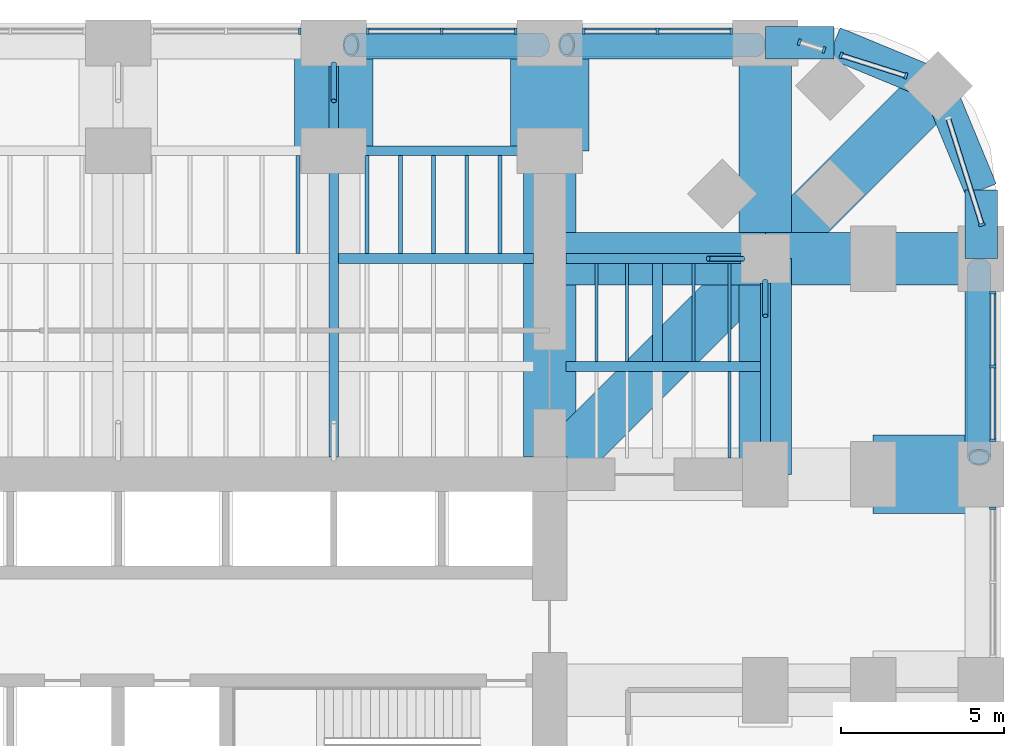
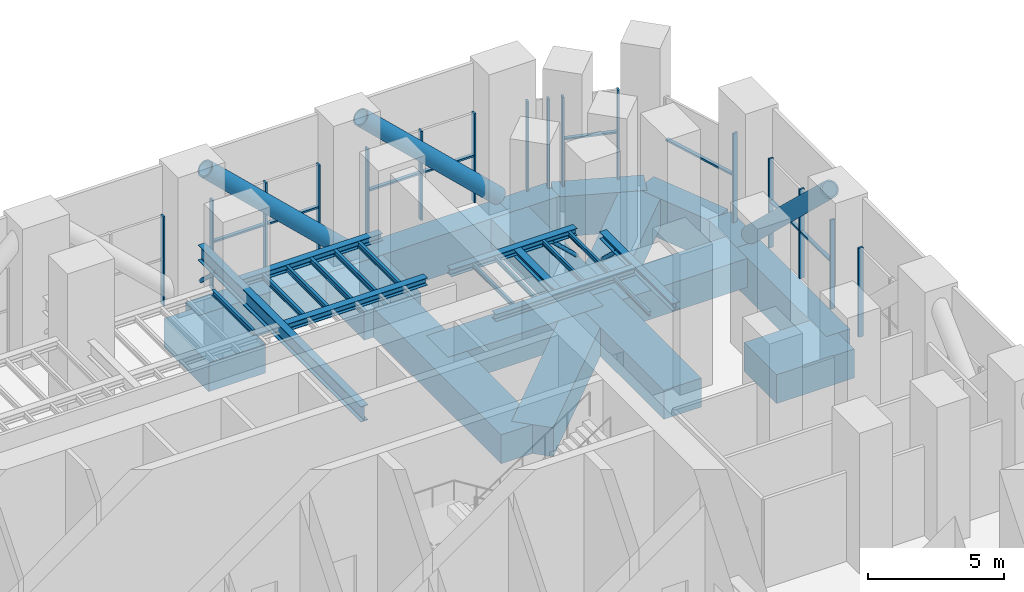
# One storey, part 9 of 17: 35 beams, 30 members, 8 elements without a shape of their own.
"""IFC4 building model written with IfcOpenShell, lengths in metres."""

import ifcopenshell
import ifcopenshell.guid

model = None  # the IFC model being written
_history = None  # IfcOwnerHistory: only IFC2X3 demands one
_inside = {}  # id of a spatial element -> (the spatial element, [elements in it])
_under = {}  # id of a project, library or spatial element -> (it, [spatial elements below it])
_declared = {}  # id of a project -> (the project, [libraries it declares])
_typed = {}  # id of a type object -> (the type object, [elements of that type])
_made_of = {}  # id of a material, layer set ... -> (it, [elements and type objects made of it])


def new_model(schema):
    """Start an empty IFC model of exactly this schema.

    Asked for "IFC4X3", IfcOpenShell would pick the latest addendum, in which some entities
    have other attributes; the version numbers below select the first issue.
    IFC2X3 requires an IfcOwnerHistory on every rooted entity: one is made here for all.
    """
    global model, _history
    if schema == "IFC4X3":
        model = ifcopenshell.file(schema_version=(4, 3, 0, 0))
    else:
        model = ifcopenshell.file(schema=schema)
    _inside.clear()
    _under.clear()
    _declared.clear()
    _typed.clear()
    _made_of.clear()
    _history = None
    if model.schema == "IFC2X3":
        org = make("IfcOrganization", Name="unknown")
        user = make(
            "IfcPersonAndOrganization",
            ThePerson=make("IfcPerson", FamilyName="unknown"),
            TheOrganization=org,
        )
        app = make(
            "IfcApplication",
            ApplicationDeveloper=org,
            Version="unknown",
            ApplicationFullName="unknown",
            ApplicationIdentifier="unknown",
        )
        _history = make(
            "IfcOwnerHistory",
            OwningUser=user,
            OwningApplication=app,
            ChangeAction="ADDED",
            CreationDate=0,
        )
    return model


def make(cls, **values):
    """One entity of the class cls with the attributes given. An attribute that is None is left unset."""
    return model.create_entity(
        cls, **{name: value for name, value in values.items() if value is not None}
    )


def rooted(cls, **values):
    """An entity with a GlobalId (a new one), such as an element, a storey or a relation."""
    return make(cls, GlobalId=ifcopenshell.guid.new(), OwnerHistory=_history, **values)


def si_unit(unit_type, name, prefix=None):
    """IfcSIUnit, for example si_unit("LENGTHUNIT", "METRE", prefix="MILLI")."""
    return make("IfcSIUnit", UnitType=unit_type, Prefix=prefix, Name=name)


def assignment(units):
    """IfcUnitAssignment: the units of a project."""
    return None if units is None else make("IfcUnitAssignment", Units=units)


def point(xyz):
    """IfcCartesianPoint."""
    return None if xyz is None else make("IfcCartesianPoint", Coordinates=xyz)


def direction(xyz):
    """IfcDirection."""
    return None if xyz is None else make("IfcDirection", DirectionRatios=xyz)


def frame(location, z_axis=None, x_axis=None):
    """IfcAxis2Placement3D, a coordinate frame: its origin and axes. An axis left out is left unset."""
    return make(
        "IfcAxis2Placement3D",
        Location=point(location),
        Axis=direction(z_axis),
        RefDirection=direction(x_axis),
    )


def frame_2d(location, x_axis=None):
    """IfcAxis2Placement2D, a coordinate frame in the plane: its origin and x axis."""
    return make(
        "IfcAxis2Placement2D", Location=point(location), RefDirection=direction(x_axis)
    )


def origin():
    """The frame at (0, 0, 0) with its axes left unset."""
    return frame((0.0, 0.0, 0.0))


def origin_2d():
    """The frame at (0, 0) in the plane with its x axis left unset."""
    return frame_2d((0.0, 0.0))


def place(relative_to, where):
    """IfcLocalPlacement: puts the frame where relative to a parent placement (None: the world)."""
    return make(
        "IfcLocalPlacement", PlacementRelTo=relative_to, RelativePlacement=where
    )


def context(
    kind, dimensions, precision=None, world=None, true_north=None, identifier=None
):
    """IfcGeometricRepresentationContext, for example the 3D "Model" context."""
    return make(
        "IfcGeometricRepresentationContext",
        ContextIdentifier=identifier,
        ContextType=kind,
        CoordinateSpaceDimension=dimensions,
        Precision=precision,
        WorldCoordinateSystem=world,
        TrueNorth=true_north,
    )


def subcontext(parent, identifier, kind, view, scale=None):
    """IfcGeometricRepresentationSubContext, for example "Body" below "Model"."""
    return make(
        "IfcGeometricRepresentationSubContext",
        ContextIdentifier=identifier,
        ContextType=kind,
        ParentContext=parent,
        TargetScale=scale,
        TargetView=view,
    )


def project(units=None, contexts=None):
    """IfcProject with its units and contexts."""
    return rooted(
        "IfcProject",
        Name="project",
        RepresentationContexts=contexts,
        UnitsInContext=assignment(units),
    )


def spatial(cls, under=None, at=None, **own):
    """A site, building, storey or space (cls), placed at a placement, below another one or the project."""
    s = rooted(cls, ObjectPlacement=at, **own)
    if under is not None:
        _under.setdefault(under.id(), (under, []))[1].append(s)
    return s


def profile(cls, at=None, kind="AREA", **sizes):
    """A parametric profile (cls). Its sizes go by their IFC names, for example OverallWidth=200.0."""
    return make(cls, ProfileType=kind, Position=at, **sizes)


def rectangle(**sizes):
    """IfcRectangleProfileDef."""
    return profile("IfcRectangleProfileDef", **sizes)


def hollow_circle(**sizes):
    """IfcCircleHollowProfileDef."""
    return profile("IfcCircleHollowProfileDef", **sizes)


def i_section(**sizes):
    """IfcIShapeProfileDef."""
    return profile("IfcIShapeProfileDef", **sizes)


def extrude(swept, where, along, depth):
    """IfcExtrudedAreaSolid: the profile swept, set in the frame where, extruded along a direction by depth."""
    return make(
        "IfcExtrudedAreaSolid",
        SweptArea=swept,
        Position=where,
        ExtrudedDirection=direction(along),
        Depth=depth,
    )


def shape(context_of_items, identifier, shape_type, items):
    """IfcShapeRepresentation: the items that make up one representation, for example the "Body"."""
    return make(
        "IfcShapeRepresentation",
        ContextOfItems=context_of_items,
        RepresentationIdentifier=identifier,
        RepresentationType=shape_type,
        Items=items,
    )


def material(Name=None, Category=None):
    """IfcMaterial."""
    return make("IfcMaterial", Name=Name, Category=Category)


def material_profile(
    of_material, cross_section, Name=None, Category=None, Priority=None
):
    """IfcMaterialProfile: a cross section and its material."""
    return make(
        "IfcMaterialProfile",
        Name=Name,
        Material=of_material,
        Profile=cross_section,
        Priority=Priority,
        Category=Category,
    )


def profile_set(profiles, Name=None, composite=None):
    """IfcMaterialProfileSet."""
    return make(
        "IfcMaterialProfileSet",
        Name=Name,
        MaterialProfiles=profiles,
        CompositeProfile=composite,
    )


def made_of(thing, what):
    """Note that an element or type object is made of a material, layer set ...; save() writes the relation."""
    if what is not None:
        _made_of.setdefault(what.id(), (what, []))[1].append(thing)
    return thing


def type_object(cls, material=None, **own):
    """A type object (cls), such as IfcWallType, which elements share."""
    return made_of(rooted(cls, **own), material)


def element(
    cls,
    number,
    at=None,
    inside=None,
    cuts=None,
    type_object=None,
    material=None,
    context=None,
    identifier="Body",
    shape_type=None,
    held_by="IfcProductDefinitionShape",
    body=None,
    shapes=None,
    **own,
):
    """One element of the class cls, such as IfcWall. Its Tag is "e" and its number.

    at: its placement. inside: the storey or other place that contains it. cuts: it is an
    opening in that element (IfcRelVoidsElement). A single representation is given by context,
    identifier, shape_type and body (its items); several are given by shapes. held_by: the class
    of the entity that holds the representations. save() writes the other relations.
    """
    e = rooted(cls, Tag="e%d" % number, ObjectPlacement=at, **own)
    if body is not None:
        shapes = [shape(context, identifier, shape_type, body)]
    if shapes is not None:
        e.Representation = make(held_by, Representations=shapes)
    if inside is not None:
        _inside.setdefault(inside.id(), (inside, []))[1].append(e)
    if cuts is not None:
        rooted(
            "IfcRelVoidsElement", RelatingBuildingElement=cuts, RelatedOpeningElement=e
        )
    if type_object is not None:
        _typed.setdefault(type_object.id(), (type_object, []))[1].append(e)
    return made_of(e, material)


def aggregate(whole, parts):
    """IfcRelAggregates: a whole, such as a stair, and the parts it consists of."""
    return rooted("IfcRelAggregates", RelatingObject=whole, RelatedObjects=parts)


def save(model, path):
    """Write the relations noted so far, then the file.

    IfcRelAggregates (storeys below a building ...), IfcRelContainedInSpatialStructure (elements
    in a storey), IfcRelDefinesByType, IfcRelAssociatesMaterial and IfcRelDeclares: one each for
    every whole, place, type object, material and project.
    """
    for whole, parts in _under.values():
        aggregate(whole, parts)
    for where, things in _inside.values():
        rooted(
            "IfcRelContainedInSpatialStructure",
            RelatedElements=things,
            RelatingStructure=where,
        )
    for kind, things in _typed.values():
        rooted("IfcRelDefinesByType", RelatedObjects=things, RelatingType=kind)
    for what, things in _made_of.values():
        rooted("IfcRelAssociatesMaterial", RelatedObjects=things, RelatingMaterial=what)
    for by, libraries in _declared.values():
        rooted("IfcRelDeclares", RelatingContext=by, RelatedDefinitions=libraries)
    model.write(path)


model = new_model("IFC4")

# Units and contexts
model_context = context("Model", 3, precision=1e-05, world=origin(), true_north=direction((0.0, 1.0)))
body_context = subcontext(model_context, "Body", "Model", "MODEL_VIEW")
ifc_project = project(units=[si_unit("LENGTHUNIT", "METRE"), si_unit("AREAUNIT", "SQUARE_METRE"), si_unit("VOLUMEUNIT", "CUBIC_METRE"), si_unit("PLANEANGLEUNIT", "RADIAN"), si_unit("MASSUNIT", "GRAM", prefix="KILO")], contexts=[model_context])

# Site, building, storey
site_placement = place(None, origin())
site = spatial("IfcSite", under=ifc_project, at=site_placement, CompositionType="ELEMENT")
building_placement = place(site_placement, origin())
building = spatial("IfcBuilding", under=site, at=building_placement, Name="Cobogo Forest Laboratory Tower", CompositionType="ELEMENT")
storey_placement = place(building_placement, frame((0.0, 0.0, 75.89990234375)))
storey = spatial("IfcBuildingStorey", under=building, at=storey_placement, Name="L17", CompositionType="ELEMENT", Elevation=75.89990234375)

# Members
ifc_material_1 = material(Name="Steel S460NH", Category="steel")
ifc_material_profile_1 = material_profile(ifc_material_1, hollow_circle(Radius=0.35546875, WallThickness=0.06005859375, at=origin_2d()), Name="CHS 711x60")
ifc_profile_set_1 = profile_set([ifc_material_profile_1], Name="Steel S460NH")
member_type_1 = type_object("IfcMemberType", Name="Belt truss diagonal CHS 711x60", PredefinedType="BRACE", material=ifc_profile_set_1)
for number, where, z_axis, x_axis, name in (
    (1, (52.739990234375, 39.35009765625, 0.23876953125), (0.0, -0.723363796511, 0.690467101242), (1.0, 0.0, 0.0), "BT1 belt truss diagonal E12 L17"),
    (2, (39.35009765625, 46.139892578125, 0.23876953125), (-0.723363796511, 0.0, 0.690467101242), (0.0, -1.0, 0.0), "BT1 belt truss diagonal N17 L17"),
    (3, (45.949951171875, 46.139892578125, 0.23876953125), (-0.723349354665, 0.0, 0.69048223084), (0.0, -1.0, 0.0), "BT1 belt truss diagonal N18 L17"),
):
    element("IfcMember", number, at=place(storey_placement, frame(where, z_axis=z_axis, x_axis=x_axis)), inside=storey, type_object=member_type_1, Name=name, PredefinedType="BRACE", context=body_context, shape_type="SweptSolid", body=[
        extrude(hollow_circle(Radius=0.35546875, WallThickness=0.06005859375, at=origin_2d()), origin(), (0.0, 0.0, 1.0), 8.0595703125),
    ])

# Curtain wall, member
ifc_material_2 = material(Name="Aluminium curtain wall", Category="aluminium")
curtain_wall_type = type_object("IfcCurtainWallType", Name="CW-P louvred curtain wall, plant floors", PredefinedType="USERDEFINED", material=ifc_material_2)
curtain_wall_1_placement = place(storey_placement, origin())
curtain_wall_1 = element("IfcCurtainWall", 4, at=curtain_wall_1_placement, inside=storey, type_object=curtain_wall_type, Name="Curtain wall 13 L17", ObjectType="LOUVRED CURTAIN WALL", PredefinedType="USERDEFINED")
ifc_material_3 = material(Name="Aluminium mullion", Category="aluminium")
ifc_material_profile_2 = material_profile(ifc_material_3, rectangle(XDim=0.080078125, YDim=0.199951171875, at=origin_2d()), Name="AL 80x200")
ifc_profile_set_2 = profile_set([ifc_material_profile_2], Name="Aluminium mullion")
member_type_2 = type_object("IfcMemberType", Name="MU-3 aluminium louvre mullion 80x200", PredefinedType="MULLION", material=ifc_profile_set_2)
member_1_placement = place(storey_placement, frame((53.14990234375, 31.9599609375, 0.0), z_axis=(0.0, 0.0, 1.0), x_axis=(0.0, 1.0, 0.0)))
member_1 = element("IfcMember", 5, at=member_1_placement, type_object=member_type_2, Name="CW-P mullion 3", PredefinedType="MULLION", context=body_context, shape_type="SweptSolid", body=[
    extrude(rectangle(XDim=0.080078125, YDim=0.199951171875, at=origin_2d()), origin(), (0.0, 0.0, 1.0), 4.0),
])
aggregate(curtain_wall_1, [member_1])

# Curtain wall, members
curtain_wall_2_placement = place(storey_placement, origin())
curtain_wall_2 = element("IfcCurtainWall", 6, at=curtain_wall_2_placement, inside=storey, type_object=curtain_wall_type, Name="Curtain wall 14 L17", ObjectType="LOUVRED CURTAIN WALL", PredefinedType="USERDEFINED")
member_2_placement = place(storey_placement, frame((53.14990234375, 34.0400390625, 0.0), z_axis=(0.0, 0.0, 1.0), x_axis=(0.0, 1.0, 0.0)))
member_2 = element("IfcMember", 7, at=member_2_placement, type_object=member_type_2, Name="CW-P mullion 1", PredefinedType="MULLION", context=body_context, shape_type="SweptSolid", body=[
    extrude(rectangle(XDim=0.080078125, YDim=0.199951171875, at=origin_2d()), origin(), (0.0, 0.0, 1.0), 4.0),
])
member_3_placement = place(storey_placement, frame((53.14990234375, 36.300048828125, 0.0), z_axis=(0.0, 0.0, 1.0), x_axis=(0.0, 1.0, 0.0)))
member_3 = element("IfcMember", 8, at=member_3_placement, type_object=member_type_2, Name="CW-P mullion 2", PredefinedType="MULLION", context=body_context, shape_type="SweptSolid", body=[
    extrude(rectangle(XDim=0.080078125, YDim=0.199951171875, at=origin_2d()), origin(), (0.0, 0.0, 1.0), 4.0),
])
member_4_placement = place(storey_placement, frame((53.14990234375, 38.56005859375, 0.0), z_axis=(0.0, 0.0, 1.0), x_axis=(0.0, 1.0, 0.0)))
member_4 = element("IfcMember", 9, at=member_4_placement, type_object=member_type_2, Name="CW-P mullion 3", PredefinedType="MULLION", context=body_context, shape_type="SweptSolid", body=[
    extrude(rectangle(XDim=0.080078125, YDim=0.199951171875, at=origin_2d()), origin(), (0.0, 0.0, 1.0), 4.0),
])

# Curtain wall, member
curtain_wall_3_placement = place(storey_placement, origin())
curtain_wall_3 = element("IfcCurtainWall", 10, at=curtain_wall_3_placement, inside=storey, type_object=curtain_wall_type, Name="Curtain wall 15 L17", ObjectType="LOUVRED CURTAIN WALL", PredefinedType="USERDEFINED")
member_5_placement = place(storey_placement, frame((52.822265625, 40.63818359375, 0.0), z_axis=(0.0, 0.0, 1.0), x_axis=(-0.301135635976, 0.953581317322, 0.0)))
member_5 = element("IfcMember", 11, at=member_5_placement, type_object=member_type_2, Name="CW-P mullion 1", PredefinedType="MULLION", context=body_context, shape_type="SweptSolid", body=[
    extrude(rectangle(XDim=0.080078125, YDim=0.199951171875, at=origin_2d()), origin(), (0.0, 0.0, 1.0), 4.0),
])

# Curtain wall, members
curtain_wall_4_placement = place(storey_placement, origin())
curtain_wall_4 = element("IfcCurtainWall", 12, at=curtain_wall_4_placement, inside=storey, type_object=curtain_wall_type, Name="Curtain wall 16 L17", ObjectType="LOUVRED CURTAIN WALL", PredefinedType="USERDEFINED")
member_6_placement = place(storey_placement, frame((50.498046875, 45.192626953125, 0.0), z_axis=(0.0, 0.0, 1.0), x_axis=(-0.953581348836, 0.301135536184, 0.0)))
member_6 = element("IfcMember", 13, at=member_6_placement, type_object=member_type_2, Name="CW-P mullion 1", PredefinedType="MULLION", context=body_context, shape_type="SweptSolid", body=[
    extrude(rectangle(XDim=0.080078125, YDim=0.199951171875, at=origin_2d()), origin(), (0.0, 0.0, 1.0), 4.0),
])
member_7_placement = place(storey_placement, frame((48.515869140625, 45.818603515625, 0.0), z_axis=(0.0, 0.0, 1.0), x_axis=(-0.953581348836, 0.301135536184, 0.0)))
member_7 = element("IfcMember", 14, at=member_7_placement, type_object=member_type_2, Name="CW-P mullion 2", PredefinedType="MULLION", context=body_context, shape_type="SweptSolid", body=[
    extrude(rectangle(XDim=0.080078125, YDim=0.199951171875, at=origin_2d()), origin(), (0.0, 0.0, 1.0), 4.0),
])

curtain_wall_5_placement = place(storey_placement, origin())
curtain_wall_5 = element("IfcCurtainWall", 15, at=curtain_wall_5_placement, inside=storey, type_object=curtain_wall_type, Name="Curtain wall 17 L17", ObjectType="LOUVRED CURTAIN WALL", PredefinedType="USERDEFINED")
member_8_placement = place(storey_placement, frame((47.989990234375, 45.984619140625, 0.0), z_axis=(0.0, 0.0, 1.0), x_axis=(-0.953581151143, 0.301136162199, 0.0)))
member_8 = element("IfcMember", 16, at=member_8_placement, type_object=member_type_2, Name="CW-P mullion 1", PredefinedType="MULLION", context=body_context, shape_type="SweptSolid", body=[
    extrude(rectangle(XDim=0.080078125, YDim=0.199951171875, at=origin_2d()), origin(), (0.0, 0.0, 1.0), 4.0),
])
member_9_placement = place(storey_placement, frame((47.238037109375, 46.22216796875, 0.0), z_axis=(0.0, 0.0, 1.0), x_axis=(-0.953581151143, 0.301136162199, 0.0)))
member_9 = element("IfcMember", 17, at=member_9_placement, type_object=member_type_2, Name="CW-P mullion 2", PredefinedType="MULLION", context=body_context, shape_type="SweptSolid", body=[
    extrude(rectangle(XDim=0.080078125, YDim=0.199951171875, at=origin_2d()), origin(), (0.0, 0.0, 1.0), 4.0),
])
aggregate(curtain_wall_5, [member_8, member_9])

curtain_wall_6_placement = place(storey_placement, origin())
curtain_wall_6 = element("IfcCurtainWall", 18, at=curtain_wall_6_placement, inside=storey, type_object=curtain_wall_type, Name="Curtain wall 18 L17", ObjectType="LOUVRED CURTAIN WALL", PredefinedType="USERDEFINED")
member_10_placement = place(storey_placement, frame((45.159912109375, 46.550048828125, 0.0), z_axis=(0.0, 0.0, 1.0), x_axis=(-1.0, 0.0, 0.0)))
member_10 = element("IfcMember", 19, at=member_10_placement, type_object=member_type_2, Name="CW-P mullion 1", PredefinedType="MULLION", context=body_context, shape_type="SweptSolid", body=[
    extrude(rectangle(XDim=0.080078125, YDim=0.199951171875, at=origin_2d()), origin(), (0.0, 0.0, 1.0), 4.0),
])
member_11_placement = place(storey_placement, frame((42.89990234375, 46.550048828125, 0.0), z_axis=(0.0, 0.0, 1.0), x_axis=(-1.0, 0.0, 0.0)))
member_11 = element("IfcMember", 20, at=member_11_placement, type_object=member_type_2, Name="CW-P mullion 2", PredefinedType="MULLION", context=body_context, shape_type="SweptSolid", body=[
    extrude(rectangle(XDim=0.080078125, YDim=0.199951171875, at=origin_2d()), origin(), (0.0, 0.0, 1.0), 4.0),
])
member_12_placement = place(storey_placement, frame((40.639892578125, 46.550048828125, 0.0), z_axis=(0.0, 0.0, 1.0), x_axis=(-1.0, 0.0, 0.0)))
member_12 = element("IfcMember", 21, at=member_12_placement, type_object=member_type_2, Name="CW-P mullion 3", PredefinedType="MULLION", context=body_context, shape_type="SweptSolid", body=[
    extrude(rectangle(XDim=0.080078125, YDim=0.199951171875, at=origin_2d()), origin(), (0.0, 0.0, 1.0), 4.0),
])

curtain_wall_7_placement = place(storey_placement, origin())
curtain_wall_7 = element("IfcCurtainWall", 22, at=curtain_wall_7_placement, inside=storey, type_object=curtain_wall_type, Name="Curtain wall 19 L17", ObjectType="LOUVRED CURTAIN WALL", PredefinedType="USERDEFINED")
member_13_placement = place(storey_placement, frame((38.56005859375, 46.550048828125, 0.0), z_axis=(0.0, 0.0, 1.0), x_axis=(-1.0, 0.0, 0.0)))
member_13 = element("IfcMember", 23, at=member_13_placement, type_object=member_type_2, Name="CW-P mullion 1", PredefinedType="MULLION", context=body_context, shape_type="SweptSolid", body=[
    extrude(rectangle(XDim=0.080078125, YDim=0.199951171875, at=origin_2d()), origin(), (0.0, 0.0, 1.0), 4.0),
])
member_14_placement = place(storey_placement, frame((36.300048828125, 46.550048828125, 0.0), z_axis=(0.0, 0.0, 1.0), x_axis=(-1.0, 0.0, 0.0)))
member_14 = element("IfcMember", 24, at=member_14_placement, type_object=member_type_2, Name="CW-P mullion 2", PredefinedType="MULLION", context=body_context, shape_type="SweptSolid", body=[
    extrude(rectangle(XDim=0.080078125, YDim=0.199951171875, at=origin_2d()), origin(), (0.0, 0.0, 1.0), 4.0),
])
member_15_placement = place(storey_placement, frame((34.0400390625, 46.550048828125, 0.0), z_axis=(0.0, 0.0, 1.0), x_axis=(-1.0, 0.0, 0.0)))
member_15 = element("IfcMember", 25, at=member_15_placement, type_object=member_type_2, Name="CW-P mullion 3", PredefinedType="MULLION", context=body_context, shape_type="SweptSolid", body=[
    extrude(rectangle(XDim=0.080078125, YDim=0.199951171875, at=origin_2d()), origin(), (0.0, 0.0, 1.0), 4.0),
])

# Curtain wall, member
curtain_wall_8_placement = place(storey_placement, origin())
curtain_wall_8 = element("IfcCurtainWall", 26, at=curtain_wall_8_placement, inside=storey, type_object=curtain_wall_type, Name="Curtain wall 20 L17", ObjectType="LOUVRED CURTAIN WALL", PredefinedType="USERDEFINED")
member_16_placement = place(storey_placement, frame((31.9599609375, 46.550048828125, 0.0), z_axis=(0.0, 0.0, 1.0), x_axis=(-1.0, 0.0, 0.0)))
member_16 = element("IfcMember", 27, at=member_16_placement, type_object=member_type_2, Name="CW-P mullion 1", PredefinedType="MULLION", context=body_context, shape_type="SweptSolid", body=[
    extrude(rectangle(XDim=0.080078125, YDim=0.199951171875, at=origin_2d()), origin(), (0.0, 0.0, 1.0), 4.0),
])
aggregate(curtain_wall_8, [member_16])

# Beams
ifc_material_4 = material(Name="Concrete HA-40 (C40/50)", Category="concrete")
ifc_material_profile_3 = material_profile(ifc_material_4, rectangle(XDim=1.60009765625, YDim=1.300048828125, at=origin_2d()), Name="RC 1600x1300")
ifc_profile_set_3 = profile_set([ifc_material_profile_3], Name="Concrete HA-40 (C40/50)")
beam_type_1 = type_object("IfcBeamType", Name="Plant and roof garden wide beam 1600x1300", PredefinedType="BEAM", material=ifc_profile_set_3)
beam_1_placement = place(storey_placement, frame((39.60009765625, 33.52490234375, -1.0), z_axis=(0.0, 1.0, 0.0), x_axis=(-1.0, 0.0, 0.0)))
element("IfcBeam", 28, at=beam_1_placement, inside=storey, type_object=beam_type_1, Name="RB4 R-7-N L17", PredefinedType="BEAM", context=body_context, shape_type="SweptSolid", body=[
    extrude(rectangle(XDim=1.60009765625, YDim=1.300048828125, at=origin_2d()), origin(), (0.0, 0.0, 1.0), 9.375),
])
beam_2_placement = place(storey_placement, frame((46.199951171875, 46.199951171875, -1.0), z_axis=(0.0, -1.0, 0.0), x_axis=(1.0, 0.0, 0.0)))
element("IfcBeam", 29, at=beam_2_placement, inside=storey, type_object=beam_type_1, Name="RB4 G-NE-XF L17", PredefinedType="BEAM", context=body_context, shape_type="SweptSolid", body=[
    extrude(rectangle(XDim=1.60009765625, YDim=1.300048828125, at=origin_2d()), origin(), (0.0, 0.0, 1.0), 6.599853515625),
])
for number, where, z_axis, x_axis, name in (
    (30, (46.199951171875, 39.60009765625, -1.0), (0.0, -1.0, 0.0), (1.0, 0.0, 0.0), "RB4 G-NE-XC L17"),
    (31, (52.800048828125, 39.60009765625, -1.0), (-1.0, 0.0, 0.0), (0.0, -1.0, 0.0), "RB4 G-NE-YF L17"),
):
    element("IfcBeam", number, at=place(storey_placement, frame(where, z_axis=z_axis, x_axis=x_axis)), inside=storey, type_object=beam_type_1, Name=name, PredefinedType="BEAM", context=body_context, shape_type="SweptSolid", body=[
        extrude(rectangle(XDim=1.60009765625, YDim=1.300048828125, at=origin_2d()), origin(), (0.0, 0.0, 1.0), 6.60009765625),
    ])
beam_3_placement = place(storey_placement, frame((46.199951171875, 39.60009765625, -1.0), z_axis=(-1.0, 0.0, 0.0), x_axis=(0.0, -1.0, 0.0)))
element("IfcBeam", 32, at=beam_3_placement, inside=storey, type_object=beam_type_1, Name="RB4 G-NE-YC L17", PredefinedType="BEAM", context=body_context, shape_type="SweptSolid", body=[
    extrude(rectangle(XDim=1.60009765625, YDim=1.300048828125, at=origin_2d()), origin(), (0.0, 0.0, 1.0), 6.599853515625),
])
beam_4_placement = place(storey_placement, frame((51.48193359375, 44.882080078125, -1.0), z_axis=(-0.707106781187, -0.707106781187, 0.0), x_axis=(0.707106781187, -0.707106781187, 0.0)))
element("IfcBeam", 33, at=beam_4_placement, inside=storey, type_object=beam_type_1, Name="RB4 G-NE-D1 L17", PredefinedType="BEAM", context=body_context, shape_type="SweptSolid", body=[
    extrude(rectangle(XDim=1.60009765625, YDim=1.300048828125, at=origin_2d()), origin(), (0.0, 0.0, 1.0), 7.469970703125),
])
beam_5_placement = place(storey_placement, frame((46.199951171875, 39.60009765625, -1.0), z_axis=(-0.707092572697, -0.70712098939, 0.0), x_axis=(0.70712098939, -0.707092572697, 0.0)))
element("IfcBeam", 34, at=beam_5_placement, inside=storey, type_object=beam_type_1, Name="RB4 G-NE-D2 L17", PredefinedType="BEAM", context=body_context, shape_type="SweptSolid", body=[
    extrude(rectangle(XDim=1.60009765625, YDim=1.300048828125, at=origin_2d()), origin(), (0.0, 0.0, 1.0), 8.591552734375),
])
ifc_material_5 = material(Name="Concrete HA-50 (C50/60)", Category="concrete")
ifc_material_profile_4 = material_profile(ifc_material_5, rectangle(XDim=2.39990234375, YDim=1.300048828125, at=origin_2d()), Name="RC 2400x1300")
ifc_profile_set_4 = profile_set([ifc_material_profile_4], Name="Concrete HA-50 (C50/60)")
beam_type_2 = type_object("IfcBeamType", Name="Plant floor end-bay beam 2400x1300", PredefinedType="BEAM", material=ifc_profile_set_4)
for number, where, z_axis, x_axis, name in (
    (35, (33.0, 46.199951171875, -1.0), (0.0, -1.0, 0.0), (1.0, 0.0, 0.0), "RB6 R-6-N-X L17"),
    (36, (39.60009765625, 46.199951171875, -1.0), (0.0, -1.0, 0.0), (1.0, 0.0, 0.0), "RB6 R-7-N-X L17"),
    (37, (52.800048828125, 33.0, -1.0), (-1.0, 0.0, 0.0), (0.0, -1.0, 0.0), "RB6 R-F-E-X L17"),
):
    element("IfcBeam", number, at=place(storey_placement, frame(where, z_axis=z_axis, x_axis=x_axis)), inside=storey, type_object=beam_type_2, Name=name, PredefinedType="BEAM", context=body_context, shape_type="SweptSolid", body=[
        extrude(rectangle(XDim=2.39990234375, YDim=1.300048828125, at=origin_2d()), origin(), (0.0, 0.0, 1.0), 3.300048828125),
    ])
ifc_material_profile_5 = material_profile(ifc_material_4, rectangle(XDim=1.0, YDim=1.800048828125, at=origin_2d()), Name="RC 1000x1800")
ifc_profile_set_5 = profile_set([ifc_material_profile_5], Name="Concrete HA-40 (C40/50)")
beam_type_3 = type_object("IfcBeamType", Name="Plant floor perimeter girder 1000x1800", PredefinedType="BEAM", material=ifc_profile_set_5)
for number, where, z_axis, x_axis, name in (
    (38, (52.800048828125, 33.0, -1.25), (0.0, 1.0, 0.0), (-1.0, 0.0, 0.0), "TG1 E-E5 L17"),
    (39, (33.0, 46.199951171875, -1.25), (1.0, 0.0, 0.0), (0.0, 1.0, 0.0), "TG1 E-N5 L17"),
):
    element("IfcBeam", number, at=place(storey_placement, frame(where, z_axis=z_axis, x_axis=x_axis)), inside=storey, type_object=beam_type_3, Name=name, PredefinedType="BEAM", context=body_context, shape_type="SweptSolid", body=[
        extrude(rectangle(XDim=1.0, YDim=1.800048828125, at=origin_2d()), origin(), (0.0, 0.0, 1.0), 6.60009765625),
    ])
beam_6_placement = place(storey_placement, frame((39.60009765625, 46.199951171875, -1.25), z_axis=(1.0, 0.0, 0.0), x_axis=(0.0, 1.0, 0.0)))
element("IfcBeam", 40, at=beam_6_placement, inside=storey, type_object=beam_type_3, Name="TG1 E-N6 L17", PredefinedType="BEAM", context=body_context, shape_type="SweptSolid", body=[
    extrude(rectangle(XDim=1.0, YDim=1.800048828125, at=origin_2d()), origin(), (0.0, 0.0, 1.0), 6.599853515625),
])
beam_7_placement = place(storey_placement, frame((52.800048828125, 39.60009765625, -1.25), z_axis=(0.0, 1.0, 0.0), x_axis=(-1.0, 0.0, 0.0)))
element("IfcBeam", 41, at=beam_7_placement, inside=storey, type_object=beam_type_3, Name="TG1 E-NEE1 L17", PredefinedType="BEAM", context=body_context, shape_type="SweptSolid", body=[
    extrude(rectangle(XDim=1.0, YDim=1.800048828125, at=origin_2d()), origin(), (0.0, 0.0, 1.0), 2.099853515625),
])
beam_8_placement = place(storey_placement, frame((52.800048828125, 41.699951171875, -1.25), z_axis=(-0.382691928466, 0.923876013265, 0.0), x_axis=(-0.923876013265, -0.382691928466, 0.0)))
element("IfcBeam", 42, at=beam_8_placement, inside=storey, type_object=beam_type_3, Name="TG1 E-NEE2 L17", PredefinedType="BEAM", context=body_context, shape_type="SweptSolid", body=[
    extrude(rectangle(XDim=1.0, YDim=1.800048828125, at=origin_2d()), origin(), (0.0, 0.0, 1.0), 3.4443359375),
])
beam_9_placement = place(storey_placement, frame((46.199951171875, 46.199951171875, -1.25), z_axis=(1.0, 0.0, 0.0), x_axis=(0.0, 1.0, 0.0)))
element("IfcBeam", 43, at=beam_9_placement, inside=storey, type_object=beam_type_3, Name="TG1 E-NEN1 L17", PredefinedType="BEAM", context=body_context, shape_type="SweptSolid", body=[
    extrude(rectangle(XDim=1.0, YDim=1.800048828125, at=origin_2d()), origin(), (0.0, 0.0, 1.0), 2.10009765625),
])
beam_10_placement = place(storey_placement, frame((48.300048828125, 46.199951171875, -1.25), z_axis=(0.923890694089, -0.382656484822, 0.0), x_axis=(0.382656484822, 0.923890694089, 0.0)))
element("IfcBeam", 44, at=beam_10_placement, inside=storey, type_object=beam_type_3, Name="TG1 E-NEN2 L17", PredefinedType="BEAM", context=body_context, shape_type="SweptSolid", body=[
    extrude(rectangle(XDim=1.0, YDim=1.800048828125, at=origin_2d()), origin(), (0.0, 0.0, 1.0), 3.444091796875),
])

# Members
ifc_material_6 = material(Name="Steel S355", Category="steel")
ifc_material_profile_6 = material_profile(ifc_material_6, hollow_circle(Radius=0.084228515625, WallThickness=0.008056640625, at=origin_2d()), Name="CHS 168.3x8")
ifc_profile_set_6 = profile_set([ifc_material_profile_6], Name="Steel S355")
member_type_3 = type_object("IfcMemberType", Name="Plant knee brace CHS 168.3x8", PredefinedType="BRACE", material=ifc_profile_set_6)
member_17_placement = place(storey_placement, frame((33.0, 45.5595703125, 1.300048828125), z_axis=(0.0, -0.727221301203, 0.686403073329), x_axis=(1.0, 0.0, 0.0)))
element("IfcMember", 45, at=member_17_placement, inside=storey, type_object=member_type_3, Name="PX1 AHU-N knee brace 6-1 L17", PredefinedType="BRACE", context=body_context, shape_type="SweptSolid", body=[
    extrude(hollow_circle(Radius=0.084228515625, WallThickness=0.008056640625, at=origin_2d()), origin(), (0.0, 0.0, 1.0), 1.56103515625),
])
member_18_placement = place(storey_placement, frame((45.509521484375, 39.60009765625, 1.68017578125), z_axis=(-0.727254758545, 0.0, 0.686367624654), x_axis=(0.0, -1.0, 0.0)))
element("IfcMember", 46, at=member_18_placement, inside=storey, type_object=member_type_3, Name="PX1 PF-NE knee brace X L17", PredefinedType="BRACE", context=body_context, shape_type="SweptSolid", body=[
    extrude(hollow_circle(Radius=0.084228515625, WallThickness=0.008056640625, at=origin_2d()), origin(), (0.0, 0.0, 1.0), 1.45703125),
])
member_19_placement = place(storey_placement, frame((46.199951171875, 38.909423828125, 1.68017578125), z_axis=(0.0, -0.727175801695, 0.68645127535), x_axis=(1.0, 0.0, 0.0)))
element("IfcMember", 47, at=member_19_placement, inside=storey, type_object=member_type_3, Name="PX1 PF-NE knee brace Y L17", PredefinedType="BRACE", context=body_context, shape_type="SweptSolid", body=[
    extrude(hollow_circle(Radius=0.084228515625, WallThickness=0.008056640625, at=origin_2d()), origin(), (0.0, 0.0, 1.0), 1.456787109375),
])

# Beams
ifc_material_profile_7 = material_profile(ifc_material_6, i_section(OverallWidth=0.300048828125, OverallDepth=0.330078125, WebThickness=0.009521484375, FlangeThickness=0.0166015625, FilletRadius=0.027099609375, at=origin_2d()), Name="HEA 340")
ifc_profile_set_7 = profile_set([ifc_material_profile_7], Name="Steel S355")
beam_type_4 = type_object("IfcBeamType", Name="Plant platform beam HEA 340", PredefinedType="BEAM", material=ifc_profile_set_7)
for number, where, z_axis, x_axis, name in (
    (48, (33.14990234375, 42.89990234375, 2.835205078125), (1.0, 0.0, 0.0), (0.0, 1.0, 0.0), "PB1 AHU-N platform beam 4 at 3300 L17"),
    (49, (33.14990234375, 39.60009765625, 2.835205078125), (1.0, 0.0, 0.0), (0.0, 1.0, 0.0), "PB1 AHU-N platform beam 4 at 6600 L17"),
):
    element("IfcBeam", number, at=place(storey_placement, frame(where, z_axis=z_axis, x_axis=x_axis)), inside=storey, type_object=beam_type_4, Name=name, PredefinedType="BEAM", context=body_context, shape_type="SweptSolid", body=[
        extrude(i_section(OverallWidth=0.300048828125, OverallDepth=0.330078125, WebThickness=0.009521484375, FlangeThickness=0.0166015625, FilletRadius=0.027099609375, at=origin_2d()), origin(), (0.0, 0.0, 1.0), 5.9501953125),
    ])
ifc_material_profile_8 = material_profile(ifc_material_6, i_section(OverallWidth=0.300048828125, OverallDepth=0.699951171875, WebThickness=0.01708984375, FlangeThickness=0.031982421875, FilletRadius=0.027099609375, at=origin_2d()), Name="HEB 700")
ifc_profile_set_8 = profile_set([ifc_material_profile_8], Name="Steel S355")
beam_type_5 = type_object("IfcBeamType", Name="Plant platform girder HEB 700", PredefinedType="BEAM", material=ifc_profile_set_8)
beam_11_placement = place(storey_placement, frame((33.0, 45.5, 2.650146484375), z_axis=(0.0, -1.0, 0.0), x_axis=(1.0, 0.0, 0.0)))
element("IfcBeam", 50, at=beam_11_placement, inside=storey, type_object=beam_type_5, Name="PG1 AHU-N girder 6 L17", PredefinedType="BEAM", context=body_context, shape_type="SweptSolid", body=[
    extrude(i_section(OverallWidth=0.300048828125, OverallDepth=0.699951171875, WebThickness=0.01708984375, FlangeThickness=0.031982421875, FilletRadius=0.027099609375, at=origin_2d()), origin(), (0.0, 0.0, 1.0), 11.97509765625),
])
ifc_material_profile_9 = material_profile(ifc_material_6, i_section(OverallWidth=0.1201171875, OverallDepth=0.239990234375, WebThickness=0.006103515625, FlangeThickness=0.009765625, FilletRadius=0.014892578125, at=origin_2d()), Name="IPE 240")
ifc_profile_set_9 = profile_set([ifc_material_profile_9], Name="Steel S355")
beam_type_6 = type_object("IfcBeamType", Name="Plant platform joist IPE 240", PredefinedType="JOIST", material=ifc_profile_set_9)
for number, where, z_axis, x_axis, name in (
    (51, (31.89990234375, 42.75, 2.880126953125), (0.0, -1.0, 0.0), (1.0, 0.0, 0.0), "PJ1 AHU-N joist 3.5 row 1 L17"),
    (52, (34.0166015625, 42.75, 2.880126953125), (0.0, -1.0, 0.0), (1.0, 0.0, 0.0), "PJ1 AHU-N joist 4.1 row 1 L17"),
    (53, (35.033447265625, 42.75, 2.880126953125), (0.0, -1.0, 0.0), (1.0, 0.0, 0.0), "PJ1 AHU-N joist 4.2 row 1 L17"),
    (54, (36.050048828125, 42.75, 2.880126953125), (0.0, -1.0, 0.0), (1.0, 0.0, 0.0), "PJ1 AHU-N joist 4.3 row 1 L17"),
    (55, (37.066650390625, 42.75, 2.880126953125), (0.0, -1.0, 0.0), (1.0, 0.0, 0.0), "PJ1 AHU-N joist 4.4 row 1 L17"),
    (56, (38.083251953125, 42.75, 2.880126953125), (0.0, -1.0, 0.0), (1.0, 0.0, 0.0), "PJ1 AHU-N joist 4.5 row 1 L17"),
):
    element("IfcBeam", number, at=place(storey_placement, frame(where, z_axis=z_axis, x_axis=x_axis)), inside=storey, type_object=beam_type_6, Name=name, PredefinedType="JOIST", context=body_context, shape_type="SweptSolid", body=[
        extrude(i_section(OverallWidth=0.1201171875, OverallDepth=0.239990234375, WebThickness=0.006103515625, FlangeThickness=0.009765625, FilletRadius=0.014892578125, at=origin_2d()), origin(), (0.0, 0.0, 1.0), 3.0),
    ])
ifc_material_profile_10 = material_profile(ifc_material_6, i_section(OverallWidth=0.300048828125, OverallDepth=0.320068359375, WebThickness=0.011474609375, FlangeThickness=0.0205078125, FilletRadius=0.027099609375, at=origin_2d()), Name="HEB 320")
ifc_profile_set_10 = profile_set([ifc_material_profile_10], Name="Steel S355")
beam_type_7 = type_object("IfcBeamType", Name="Plant support frame beam HEB 320", PredefinedType="BEAM", material=ifc_profile_set_10)
beam_12_placement = place(storey_placement, frame((45.449951171875, 39.60009765625, 2.840087890625), z_axis=(-1.0, 0.0, 0.0), x_axis=(0.0, -1.0, 0.0)))
element("IfcBeam", 57, at=beam_12_placement, inside=storey, type_object=beam_type_7, Name="PF1 PF-NE beam X1 L17", PredefinedType="BEAM", context=body_context, shape_type="SweptSolid", body=[
    extrude(i_section(OverallWidth=0.300048828125, OverallDepth=0.320068359375, WebThickness=0.011474609375, FlangeThickness=0.0205078125, FilletRadius=0.027099609375, at=origin_2d()), origin(), (0.0, 0.0, 1.0), 5.349853515625),
])
beam_13_placement = place(storey_placement, frame((46.199951171875, 38.85009765625, 2.840087890625), z_axis=(0.0, -1.0, 0.0), x_axis=(1.0, 0.0, 0.0)))
element("IfcBeam", 58, at=beam_13_placement, inside=storey, type_object=beam_type_7, Name="PF1 PF-NE beam Y1 L17", PredefinedType="BEAM", context=body_context, shape_type="SweptSolid", body=[
    extrude(i_section(OverallWidth=0.300048828125, OverallDepth=0.320068359375, WebThickness=0.011474609375, FlangeThickness=0.0205078125, FilletRadius=0.027099609375, at=origin_2d()), origin(), (0.0, 0.0, 1.0), 5.35009765625),
])
beam_14_placement = place(storey_placement, frame((46.050048828125, 36.300048828125, 2.840087890625), z_axis=(-1.0, 0.0, 0.0), x_axis=(0.0, -1.0, 0.0)))
element("IfcBeam", 59, at=beam_14_placement, inside=storey, type_object=beam_type_7, Name="PF1 PF-NE beam X2 L17", PredefinedType="BEAM", context=body_context, shape_type="SweptSolid", body=[
    extrude(i_section(OverallWidth=0.300048828125, OverallDepth=0.320068359375, WebThickness=0.011474609375, FlangeThickness=0.0205078125, FilletRadius=0.027099609375, at=origin_2d()), origin(), (0.0, 0.0, 1.0), 5.949951171875),
])
beam_15_placement = place(storey_placement, frame((42.89990234375, 39.449951171875, 2.840087890625), z_axis=(0.0, -1.0, 0.0), x_axis=(1.0, 0.0, 0.0)))
element("IfcBeam", 60, at=beam_15_placement, inside=storey, type_object=beam_type_7, Name="PF1 PF-NE beam Y2-1 L17", PredefinedType="BEAM", context=body_context, shape_type="SweptSolid", body=[
    extrude(i_section(OverallWidth=0.300048828125, OverallDepth=0.320068359375, WebThickness=0.011474609375, FlangeThickness=0.0205078125, FilletRadius=0.027099609375, at=origin_2d()), origin(), (0.0, 0.0, 1.0), 3.0),
])
ifc_material_profile_11 = material_profile(ifc_material_6, i_section(OverallWidth=0.10009765625, OverallDepth=0.199951171875, WebThickness=0.005615234375, FlangeThickness=0.008544921875, FilletRadius=0.011962890625, at=origin_2d()), Name="IPE 200")
ifc_profile_set_11 = profile_set([ifc_material_profile_11], Name="Steel S355")
beam_type_8 = type_object("IfcBeamType", Name="Plant support frame joist IPE 200", PredefinedType="JOIST", material=ifc_profile_set_11)
for number, where, z_axis, x_axis, name in (
    (61, (45.10009765625, 39.449951171875, 2.900146484375), (0.0, -1.0, 0.0), (1.0, 0.0, 0.0), "PJ3 PF-NE joist 11.1 L17"),
    (62, (44.0, 39.449951171875, 2.900146484375), (0.0, -1.0, 0.0), (1.0, 0.0, 0.0), "PJ3 PF-NE joist 11.2 L17"),
):
    element("IfcBeam", number, at=place(storey_placement, frame(where, z_axis=z_axis, x_axis=x_axis)), inside=storey, type_object=beam_type_8, Name=name, PredefinedType="JOIST", context=body_context, shape_type="SweptSolid", body=[
        extrude(i_section(OverallWidth=0.10009765625, OverallDepth=0.199951171875, WebThickness=0.005615234375, FlangeThickness=0.008544921875, FilletRadius=0.011962890625, at=origin_2d()), origin(), (0.0, 0.0, 1.0), 3.0),
    ])
beam_16_placement = place(storey_placement, frame((45.10009765625, 36.14990234375, 2.900146484375), z_axis=(0.0, -1.0, 0.0), x_axis=(1.0, 0.0, 0.0)))
element("IfcBeam", 63, at=beam_16_placement, inside=storey, type_object=beam_type_8, Name="PJ3 PF-NE joist 12.1 L17", PredefinedType="JOIST", context=body_context, shape_type="SweptSolid", body=[
    extrude(i_section(OverallWidth=0.10009765625, OverallDepth=0.199951171875, WebThickness=0.005615234375, FlangeThickness=0.008544921875, FilletRadius=0.011962890625, at=origin_2d()), origin(), (0.0, 0.0, 1.0), 2.64990234375),
])
for number, where, z_axis, x_axis, name in (
    (64, (41.966552734375, 39.449951171875, 2.900146484375), (0.0, -1.0, 0.0), (1.0, 0.0, 0.0), "PJ3 PF-NE joist 21.1 L17"),
    (65, (41.033447265625, 39.449951171875, 2.900146484375), (0.0, -1.0, 0.0), (1.0, 0.0, 0.0), "PJ3 PF-NE joist 21.2 L17"),
):
    element("IfcBeam", number, at=place(storey_placement, frame(where, z_axis=z_axis, x_axis=x_axis)), inside=storey, type_object=beam_type_8, Name=name, PredefinedType="JOIST", context=body_context, shape_type="SweptSolid", body=[
        extrude(i_section(OverallWidth=0.10009765625, OverallDepth=0.199951171875, WebThickness=0.005615234375, FlangeThickness=0.008544921875, FilletRadius=0.011962890625, at=origin_2d()), origin(), (0.0, 0.0, 1.0), 3.0),
    ])

# Member
ifc_material_7 = material(Name="Aluminium transom", Category="aluminium")
ifc_material_profile_12 = material_profile(ifc_material_7, rectangle(XDim=0.14990234375, YDim=0.080078125, at=origin_2d()), Name="AL 80x150")
ifc_profile_set_12 = profile_set([ifc_material_profile_12], Name="Aluminium transom")
member_type_4 = type_object("IfcMemberType", Name="TR-2 aluminium louvre transom 80x150", PredefinedType="USERDEFINED", material=ifc_profile_set_12)
member_20_placement = place(storey_placement, frame((53.14990234375, 34.080078125, 2.10009765625), z_axis=(0.0, 1.0, 0.0), x_axis=(-1.0, 0.0, 0.0)))
member_20 = element("IfcMember", 66, at=member_20_placement, type_object=member_type_4, Name="CW-P transom 1.1", ObjectType="TRANSOM", PredefinedType="USERDEFINED", context=body_context, shape_type="SweptSolid", body=[
    extrude(rectangle(XDim=0.14990234375, YDim=0.080078125, at=origin_2d()), origin(), (0.0, 0.0, 1.0), 2.179931640625),
])

member_21_placement = place(storey_placement, frame((53.14990234375, 36.340087890625, 2.10009765625), z_axis=(0.0, 1.0, 0.0), x_axis=(-1.0, 0.0, 0.0)))
member_21 = element("IfcMember", 67, at=member_21_placement, type_object=member_type_4, Name="CW-P transom 2.1", ObjectType="TRANSOM", PredefinedType="USERDEFINED", context=body_context, shape_type="SweptSolid", body=[
    extrude(rectangle(XDim=0.14990234375, YDim=0.080078125, at=origin_2d()), origin(), (0.0, 0.0, 1.0), 2.179931640625),
])

aggregate(curtain_wall_2, [member_2, member_3, member_4, member_20, member_21])

member_22_placement = place(storey_placement, frame((52.81005859375, 40.67626953125, 2.10009765625), z_axis=(-0.301138367523, 0.95358045471, 0.0), x_axis=(-0.95358045471, -0.301138367523, 0.0)))
member_22 = element("IfcMember", 68, at=member_22_placement, type_object=member_type_4, Name="CW-P transom 1.1", ObjectType="TRANSOM", PredefinedType="USERDEFINED", context=body_context, shape_type="SweptSolid", body=[
    extrude(rectangle(XDim=0.14990234375, YDim=0.080078125, at=origin_2d()), origin(), (0.0, 0.0, 1.0), 3.338623046875),
])

aggregate(curtain_wall_3, [member_5, member_22])

member_23_placement = place(storey_placement, frame((50.4599609375, 45.204833984375, 2.10009765625), z_axis=(-0.953595586527, 0.301090447136, 0.0), x_axis=(-0.301090447136, -0.953595586527, 0.0)))
member_23 = element("IfcMember", 69, at=member_23_placement, type_object=member_type_4, Name="CW-P transom 1.1", ObjectType="TRANSOM", PredefinedType="USERDEFINED", context=body_context, shape_type="SweptSolid", body=[
    extrude(rectangle(XDim=0.14990234375, YDim=0.080078125, at=origin_2d()), origin(), (0.0, 0.0, 1.0), 1.998779296875),
])

aggregate(curtain_wall_4, [member_6, member_7, member_23])

member_24_placement = place(storey_placement, frame((45.1201171875, 46.550048828125, 2.10009765625), z_axis=(-1.0, 0.0, 0.0), x_axis=(0.0, -1.0, 0.0)))
member_24 = element("IfcMember", 70, at=member_24_placement, type_object=member_type_4, Name="CW-P transom 1.1", ObjectType="TRANSOM", PredefinedType="USERDEFINED", context=body_context, shape_type="SweptSolid", body=[
    extrude(rectangle(XDim=0.14990234375, YDim=0.080078125, at=origin_2d()), origin(), (0.0, 0.0, 1.0), 2.18017578125),
])

member_25_placement = place(storey_placement, frame((42.860107421875, 46.550048828125, 2.10009765625), z_axis=(-1.0, 0.0, 0.0), x_axis=(0.0, -1.0, 0.0)))
member_25 = element("IfcMember", 71, at=member_25_placement, type_object=member_type_4, Name="CW-P transom 2.1", ObjectType="TRANSOM", PredefinedType="USERDEFINED", context=body_context, shape_type="SweptSolid", body=[
    extrude(rectangle(XDim=0.14990234375, YDim=0.080078125, at=origin_2d()), origin(), (0.0, 0.0, 1.0), 2.18017578125),
])

aggregate(curtain_wall_6, [member_10, member_11, member_12, member_24, member_25])

member_26_placement = place(storey_placement, frame((38.52001953125, 46.550048828125, 2.10009765625), z_axis=(-1.0, 0.0, 0.0), x_axis=(0.0, -1.0, 0.0)))
member_26 = element("IfcMember", 72, at=member_26_placement, type_object=member_type_4, Name="CW-P transom 1.1", ObjectType="TRANSOM", PredefinedType="USERDEFINED", context=body_context, shape_type="SweptSolid", body=[
    extrude(rectangle(XDim=0.14990234375, YDim=0.080078125, at=origin_2d()), origin(), (0.0, 0.0, 1.0), 2.179931640625),
])

member_27_placement = place(storey_placement, frame((36.260009765625, 46.550048828125, 2.10009765625), z_axis=(-1.0, 0.0, 0.0), x_axis=(0.0, -1.0, 0.0)))
member_27 = element("IfcMember", 73, at=member_27_placement, type_object=member_type_4, Name="CW-P transom 2.1", ObjectType="TRANSOM", PredefinedType="USERDEFINED", context=body_context, shape_type="SweptSolid", body=[
    extrude(rectangle(XDim=0.14990234375, YDim=0.080078125, at=origin_2d()), origin(), (0.0, 0.0, 1.0), 2.179931640625),
])

aggregate(curtain_wall_7, [member_13, member_14, member_15, member_26, member_27])

save(model, "model.ifc")
